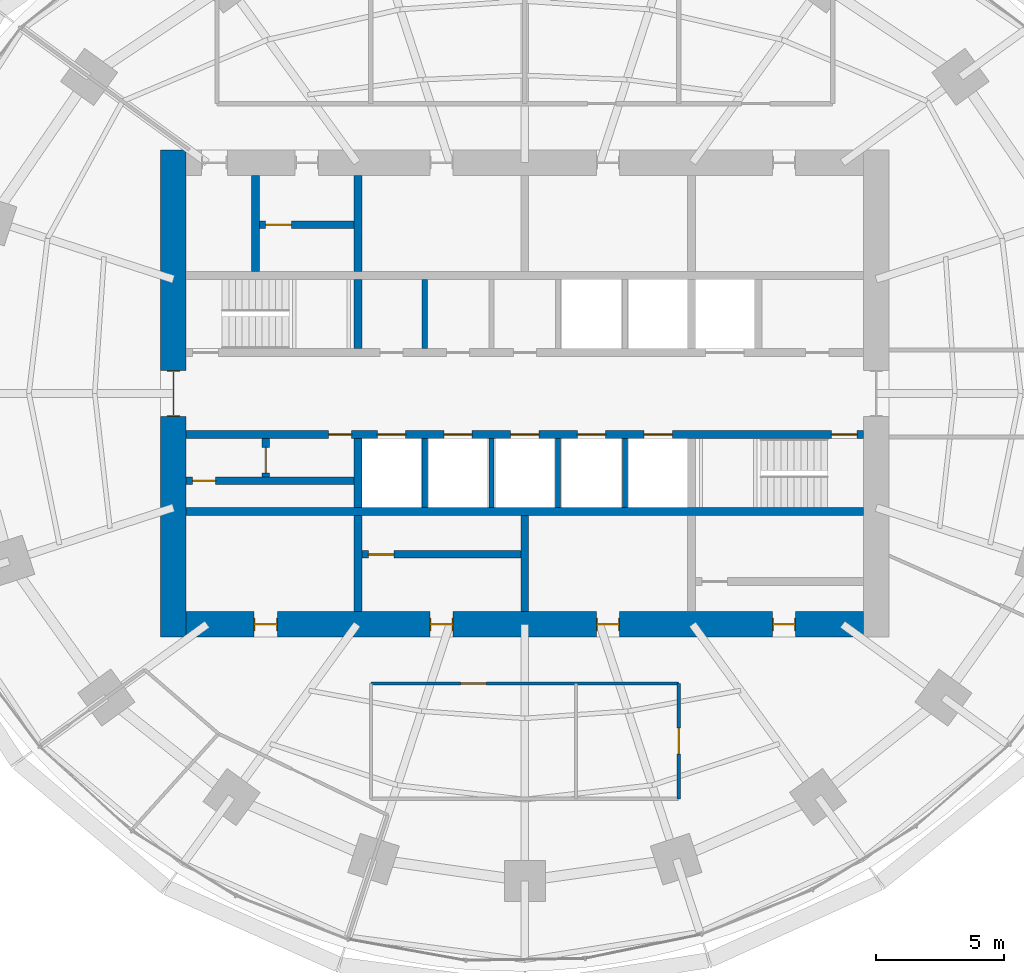
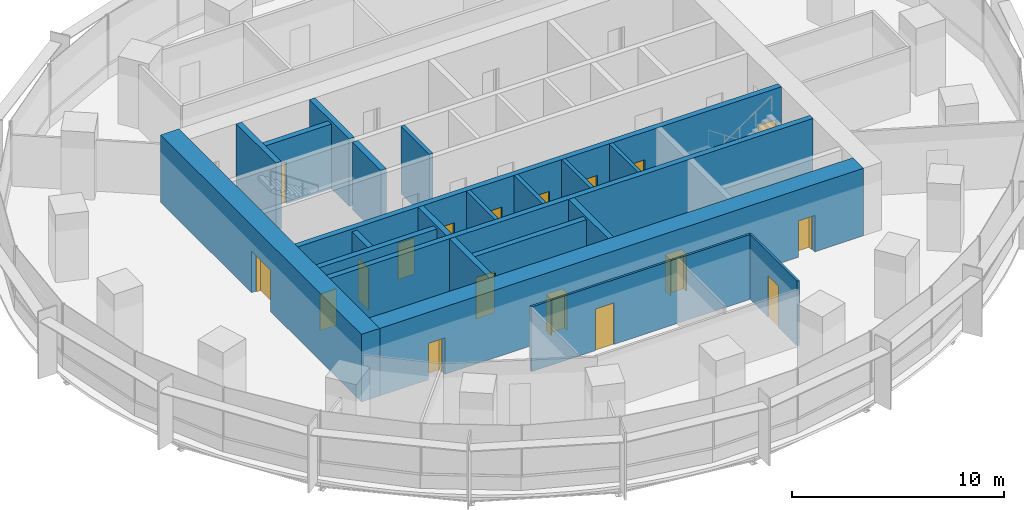
# One storey, part 10 of 14: 21 walls, 18 doors, 18 openings.
"""IFC4 building model written with IfcOpenShell, lengths in metres."""

from ifc_helpers import new_model, si_unit, direction, frame, frame_2d, origin, place, context, subcontext, project, spatial, rectangle, extrude, material, layer, layer_set, type_object, element, fill, save


model = new_model("IFC4")

# Units and contexts
model_context = context("Model", 3, precision=1e-05, world=origin(), true_north=direction((0.0, 1.0)))
body_context = subcontext(model_context, "Body", "Model", "MODEL_VIEW")
ifc_project = project(units=[si_unit("LENGTHUNIT", "METRE"), si_unit("AREAUNIT", "SQUARE_METRE"), si_unit("VOLUMEUNIT", "CUBIC_METRE"), si_unit("PLANEANGLEUNIT", "RADIAN"), si_unit("MASSUNIT", "GRAM", prefix="KILO")], contexts=[model_context])

# Site, building, storey
site_placement = place(None, origin())
site = spatial("IfcSite", under=ifc_project, at=site_placement, CompositionType="ELEMENT")
building_placement = place(site_placement, origin())
building = spatial("IfcBuilding", under=site, at=building_placement, Name="Marramba Exchange Tower", CompositionType="ELEMENT")
storey_placement = place(building_placement, frame((0.0, 0.0, 154.800048828125)))
storey = spatial("IfcBuildingStorey", under=building, at=storey_placement, Name="L37", CompositionType="ELEMENT", Elevation=154.800048828125)

# Walls
ifc_material_1 = material(Name="Concrete N50", Category="concrete")
ifc_layer_1 = layer(ifc_material_1, 0.199951171875)
ifc_layer_set_1 = layer_set([ifc_layer_1], Name="Core shaft wall 200")
wall_type_1 = type_object("IfcWallType", Name="Core shaft wall 200", PredefinedType="SHEAR", material=ifc_layer_set_1)
for number, where, z_axis, x_axis, name in (
    (1, (-3.89990234375, 1.75, 0.0), (0.0, 0.0, 1.0), (0.0, 1.0, 0.0), "Core wall SHN1 L37"),
    (2, (-3.89990234375, -1.75, 0.0), (0.0, 0.0, 1.0), (0.0, -1.0, 0.0), "Core wall SHS1 L37"),
    (3, (-1.300048828125, -1.75, 0.0), (0.0, 0.0, 1.0), (0.0, -1.0, 0.0), "Core wall SHS2 L37"),
    (4, (1.300048828125, -1.75, 0.0), (0.0, 0.0, 1.0), (0.0, -1.0, 0.0), "Core wall SHS3 L37"),
    (5, (3.89990234375, -1.75, 0.0), (0.0, 0.0, 1.0), (0.0, -1.0, 0.0), "Core wall SHS4 L37"),
):
    element("IfcWall", number, at=place(storey_placement, frame(where, z_axis=z_axis, x_axis=x_axis)), inside=storey, type_object=wall_type_1, Name=name, PredefinedType="SHEAR", context=body_context, shape_type="SweptSolid", body=[
        extrude(rectangle(XDim=2.699951171875, YDim=0.199951171875, at=frame_2d((1.35009765625, 0.0))), origin(), (0.0, 0.0, 1.0), 3.89990234375),
    ])

# Wall, openings, doors
ifc_layer_2 = layer(ifc_material_1, 1.0)
ifc_layer_set_2 = layer_set([ifc_layer_2], Name="Core wall 1000")
wall_type_2 = type_object("IfcWallType", Name="Core wall 1000", PredefinedType="SHEAR", material=ifc_layer_set_2)
wall_1_placement = place(storey_placement, frame((-13.199951171875, -9.0, 0.0), z_axis=(0.0, 0.0, 1.0), x_axis=(1.0, 0.0, 0.0)))
wall_1 = element("IfcWall", 6, at=wall_1_placement, inside=storey, type_object=wall_type_2, Name="Core wall S L37", PredefinedType="SHEAR", context=body_context, shape_type="SweptSolid", body=[
    extrude(rectangle(XDim=26.39990234375, YDim=1.0, at=frame_2d((13.199951171875, 0.0))), origin(), (0.0, 0.0, 1.0), 3.89990234375),
])
opening_1_placement = place(wall_1_placement, frame((2.64990234375, 0.0, 0.0)))
opening_1 = element("IfcOpeningElement", 7, at=opening_1_placement, cuts=wall_1, Name="Opening D5", PredefinedType="OPENING", context=body_context, shape_type="SweptSolid", body=[
    extrude(rectangle(XDim=0.89990234375, YDim=2.10009765625, at=frame_2d((0.449951171875, 1.050048828125))), frame((0.0, 0.510009765625, 0.0), z_axis=(0.0, -1.0, 0.0), x_axis=(1.0, 0.0, 0.0)), (0.0, 0.0, 1.0), 1.02001953125),
])
opening_2_placement = place(wall_1_placement, frame((9.5, 0.0, 0.0)))
opening_2 = element("IfcOpeningElement", 8, at=opening_2_placement, cuts=wall_1, Name="Opening D5", PredefinedType="OPENING", context=body_context, shape_type="SweptSolid", body=[
    extrude(rectangle(XDim=0.89990234375, YDim=2.10009765625, at=frame_2d((0.449951171875, 1.050048828125))), frame((0.0, 0.510009765625, 0.0), z_axis=(0.0, -1.0, 0.0), x_axis=(1.0, 0.0, 0.0)), (0.0, 0.0, 1.0), 1.02001953125),
])
opening_3_placement = place(wall_1_placement, frame((16.0, 0.0, 0.0)))
opening_3 = element("IfcOpeningElement", 9, at=opening_3_placement, cuts=wall_1, Name="Opening D5", PredefinedType="OPENING", context=body_context, shape_type="SweptSolid", body=[
    extrude(rectangle(XDim=0.89990234375, YDim=2.10009765625, at=frame_2d((0.449951171875, 1.050048828125))), frame((0.0, 0.510009765625, 0.0), z_axis=(0.0, -1.0, 0.0), x_axis=(1.0, 0.0, 0.0)), (0.0, 0.0, 1.0), 1.02001953125),
])
opening_4_placement = place(wall_1_placement, frame((22.85009765625, 0.0, 0.0)))
opening_4 = element("IfcOpeningElement", 10, at=opening_4_placement, cuts=wall_1, Name="Opening D5", PredefinedType="OPENING", context=body_context, shape_type="SweptSolid", body=[
    extrude(rectangle(XDim=0.89990234375, YDim=2.10009765625, at=frame_2d((0.449951171875, 1.050048828125))), frame((0.0, 0.510009765625, 0.0), z_axis=(0.0, -1.0, 0.0), x_axis=(1.0, 0.0, 0.0)), (0.0, 0.0, 1.0), 1.02001953125),
])
ifc_material_2 = material(Name="Steel-framed door", Category="steel")
door_type_1 = type_object("IfcDoorType", Name="Service door 900x2100", OperationType="SINGLE_SWING_LEFT", PredefinedType="DOOR", material=ifc_material_2)
door_1_placement = place(opening_1_placement, origin())
door_1 = element("IfcDoor", 11, at=door_1_placement, inside=storey, type_object=door_type_1, Name="D5 ahu L37", OperationType="SINGLE_SWING_LEFT", OverallHeight=2.10009765625, OverallWidth=0.89990234375, PredefinedType="DOOR", context=body_context, shape_type="SweptSolid", body=[
    extrude(rectangle(XDim=0.81982421875, YDim=2.06005859375, at=frame_2d((0.449951171875, 1.030029296875))), frame((0.0, 0.02490234375, 0.0), z_axis=(0.0, -1.0, 0.0), x_axis=(1.0, 0.0, 0.0)), (0.0, 0.0, 1.0), 0.050048828125),
    extrude(rectangle(XDim=0.04, YDim=2.10009765625, at=frame_2d((0.02001953125, 1.050048828125))), frame((0.0, 0.25, 0.0), z_axis=(0.0, -1.0, 0.0), x_axis=(1.0, 0.0, 0.0)), (0.0, 0.0, 1.0), 0.5),
    extrude(rectangle(XDim=0.04, YDim=2.10009765625, at=frame_2d((0.8798828125, 1.050048828125))), frame((0.0, 0.25, 0.0), z_axis=(0.0, -1.0, 0.0), x_axis=(1.0, 0.0, 0.0)), (0.0, 0.0, 1.0), 0.5),
    extrude(rectangle(XDim=0.81982421875, YDim=0.04, at=frame_2d((0.449951171875, 2.080078125))), frame((0.0, 0.25, 0.0), z_axis=(0.0, -1.0, 0.0), x_axis=(1.0, 0.0, 0.0)), (0.0, 0.0, 1.0), 0.5),
])
fill(opening_1, door_1)
door_2_placement = place(opening_2_placement, origin())
door_2 = element("IfcDoor", 12, at=door_2_placement, inside=storey, type_object=door_type_1, Name="D5 store L37", OperationType="SINGLE_SWING_RIGHT", OverallHeight=2.10009765625, OverallWidth=0.89990234375, PredefinedType="DOOR", context=body_context, shape_type="SweptSolid", body=[
    extrude(rectangle(XDim=0.81982421875, YDim=2.06005859375, at=frame_2d((0.449951171875, 1.030029296875))), frame((0.0, 0.02490234375, 0.0), z_axis=(0.0, -1.0, 0.0), x_axis=(1.0, 0.0, 0.0)), (0.0, 0.0, 1.0), 0.050048828125),
    extrude(rectangle(XDim=0.04, YDim=2.10009765625, at=frame_2d((0.02001953125, 1.050048828125))), frame((0.0, 0.25, 0.0), z_axis=(0.0, -1.0, 0.0), x_axis=(1.0, 0.0, 0.0)), (0.0, 0.0, 1.0), 0.5),
    extrude(rectangle(XDim=0.04, YDim=2.10009765625, at=frame_2d((0.8798828125, 1.050048828125))), frame((0.0, 0.25, 0.0), z_axis=(0.0, -1.0, 0.0), x_axis=(1.0, 0.0, 0.0)), (0.0, 0.0, 1.0), 0.5),
    extrude(rectangle(XDim=0.81982421875, YDim=0.04, at=frame_2d((0.449951171875, 2.080078125))), frame((0.0, 0.25, 0.0), z_axis=(0.0, -1.0, 0.0), x_axis=(1.0, 0.0, 0.0)), (0.0, 0.0, 1.0), 0.5),
])
fill(opening_2, door_2)
door_3_placement = place(opening_3_placement, origin())
door_3 = element("IfcDoor", 13, at=door_3_placement, inside=storey, type_object=door_type_1, Name="D5 switch L37", OperationType="SINGLE_SWING_RIGHT", OverallHeight=2.10009765625, OverallWidth=0.89990234375, PredefinedType="DOOR", context=body_context, shape_type="SweptSolid", body=[
    extrude(rectangle(XDim=0.81982421875, YDim=2.06005859375, at=frame_2d((0.449951171875, 1.030029296875))), frame((0.0, 0.02490234375, 0.0), z_axis=(0.0, -1.0, 0.0), x_axis=(1.0, 0.0, 0.0)), (0.0, 0.0, 1.0), 0.050048828125),
    extrude(rectangle(XDim=0.04, YDim=2.10009765625, at=frame_2d((0.02001953125, 1.050048828125))), frame((0.0, 0.25, 0.0), z_axis=(0.0, -1.0, 0.0), x_axis=(1.0, 0.0, 0.0)), (0.0, 0.0, 1.0), 0.5),
    extrude(rectangle(XDim=0.04, YDim=2.10009765625, at=frame_2d((0.8798828125, 1.050048828125))), frame((0.0, 0.25, 0.0), z_axis=(0.0, -1.0, 0.0), x_axis=(1.0, 0.0, 0.0)), (0.0, 0.0, 1.0), 0.5),
    extrude(rectangle(XDim=0.81982421875, YDim=0.04, at=frame_2d((0.449951171875, 2.080078125))), frame((0.0, 0.25, 0.0), z_axis=(0.0, -1.0, 0.0), x_axis=(1.0, 0.0, 0.0)), (0.0, 0.0, 1.0), 0.5),
])
fill(opening_3, door_3)
door_4_placement = place(opening_4_placement, origin())
door_4 = element("IfcDoor", 14, at=door_4_placement, inside=storey, type_object=door_type_1, Name="D5 cstore L37", OperationType="SINGLE_SWING_RIGHT", OverallHeight=2.10009765625, OverallWidth=0.89990234375, PredefinedType="DOOR", context=body_context, shape_type="SweptSolid", body=[
    extrude(rectangle(XDim=0.81982421875, YDim=2.06005859375, at=frame_2d((0.449951171875, 1.030029296875))), frame((0.0, 0.02490234375, 0.0), z_axis=(0.0, -1.0, 0.0), x_axis=(1.0, 0.0, 0.0)), (0.0, 0.0, 1.0), 0.050048828125),
    extrude(rectangle(XDim=0.04, YDim=2.10009765625, at=frame_2d((0.02001953125, 1.050048828125))), frame((0.0, 0.25, 0.0), z_axis=(0.0, -1.0, 0.0), x_axis=(1.0, 0.0, 0.0)), (0.0, 0.0, 1.0), 0.5),
    extrude(rectangle(XDim=0.04, YDim=2.10009765625, at=frame_2d((0.8798828125, 1.050048828125))), frame((0.0, 0.25, 0.0), z_axis=(0.0, -1.0, 0.0), x_axis=(1.0, 0.0, 0.0)), (0.0, 0.0, 1.0), 0.5),
    extrude(rectangle(XDim=0.81982421875, YDim=0.04, at=frame_2d((0.449951171875, 2.080078125))), frame((0.0, 0.25, 0.0), z_axis=(0.0, -1.0, 0.0), x_axis=(1.0, 0.0, 0.0)), (0.0, 0.0, 1.0), 0.5),
])
fill(opening_4, door_4)

# Wall, opening, door
wall_2_placement = place(storey_placement, frame((-13.699951171875, 9.5, 0.0), z_axis=(0.0, 0.0, 1.0), x_axis=(0.0, -1.0, 0.0)))
wall_2 = element("IfcWall", 15, at=wall_2_placement, inside=storey, type_object=wall_type_2, Name="Core wall W L37", PredefinedType="SHEAR", context=body_context, shape_type="SweptSolid", body=[
    extrude(rectangle(XDim=19.0, YDim=1.0, at=frame_2d((9.5, 0.0))), origin(), (0.0, 0.0, 1.0), 3.89990234375),
])
opening_5_placement = place(wall_2_placement, frame((8.60009765625, 0.0, 0.0)))
opening_5 = element("IfcOpeningElement", 16, at=opening_5_placement, cuts=wall_2, Name="Opening D1", PredefinedType="OPENING", context=body_context, shape_type="SweptSolid", body=[
    extrude(rectangle(XDim=1.800048828125, YDim=2.39990234375, at=frame_2d((0.89990234375, 1.199951171875))), frame((0.0, 0.510009765625, 0.0), z_axis=(0.0, -1.0, 0.0), x_axis=(1.0, 0.0, 0.0)), (0.0, 0.0, 1.0), 1.02001953125),
])
door_type_2 = type_object("IfcDoorType", Name="Lobby exit door 1800x2400", OperationType="DOUBLE_DOOR_SINGLE_SWING", PredefinedType="DOOR", material=ifc_material_2)
door_5_placement = place(opening_5_placement, origin())
door_5 = element("IfcDoor", 17, at=door_5_placement, inside=storey, type_object=door_type_2, Name="D1 lobby exit west L37", OperationType="DOUBLE_DOOR_SINGLE_SWING", OverallHeight=2.39990234375, OverallWidth=1.800048828125, PredefinedType="DOOR", context=body_context, shape_type="SweptSolid", body=[
    extrude(rectangle(XDim=1.719970703125, YDim=2.35986328125, at=frame_2d((0.89990234375, 1.179931640625))), frame((0.0, 0.02490234375, 0.0), z_axis=(0.0, -1.0, 0.0), x_axis=(1.0, 0.0, 0.0)), (0.0, 0.0, 1.0), 0.050048828125),
    extrude(rectangle(XDim=0.04, YDim=2.39990234375, at=frame_2d((0.02001953125, 1.199951171875))), frame((0.0, 0.25, 0.0), z_axis=(0.0, -1.0, 0.0), x_axis=(1.0, 0.0, 0.0)), (0.0, 0.0, 1.0), 0.5),
    extrude(rectangle(XDim=0.04, YDim=2.39990234375, at=frame_2d((1.780029296875, 1.199951171875))), frame((0.0, 0.25, 0.0), z_axis=(0.0, -1.0, 0.0), x_axis=(1.0, 0.0, 0.0)), (0.0, 0.0, 1.0), 0.5),
    extrude(rectangle(XDim=1.719970703125, YDim=0.04, at=frame_2d((0.89990234375, 2.3798828125))), frame((0.0, 0.25, 0.0), z_axis=(0.0, -1.0, 0.0), x_axis=(1.0, 0.0, 0.0)), (0.0, 0.0, 1.0), 0.5),
])
fill(opening_5, door_5)

# Wall, openings, doors
ifc_layer_3 = layer(ifc_material_1, 0.300048828125)
ifc_layer_set_3 = layer_set([ifc_layer_3], Name="Core wall 300")
wall_type_3 = type_object("IfcWallType", Name="Core wall 300", PredefinedType="SHEAR", material=ifc_layer_set_3)
wall_3_placement = place(storey_placement, frame((-13.199951171875, -1.60009765625, 0.0), z_axis=(0.0, 0.0, 1.0), x_axis=(1.0, 0.0, 0.0)))
wall_3 = element("IfcWall", 18, at=wall_3_placement, inside=storey, type_object=wall_type_3, Name="Core wall LS L37", PredefinedType="SHEAR", context=body_context, shape_type="SweptSolid", body=[
    extrude(rectangle(XDim=26.39990234375, YDim=0.300048828125, at=frame_2d((13.199951171875, 0.0))), origin(), (0.0, 0.0, 1.0), 3.89990234375),
])
opening_6_placement = place(wall_3_placement, frame((25.14990234375, 0.0, 0.0)))
opening_6 = element("IfcOpeningElement", 19, at=opening_6_placement, cuts=wall_3, Name="Opening D2", PredefinedType="OPENING", context=body_context, shape_type="SweptSolid", body=[
    extrude(rectangle(XDim=1.0, YDim=2.10009765625, at=frame_2d((0.5, 1.050048828125))), frame((0.0, 0.159912109375, 0.0), z_axis=(0.0, -1.0, 0.0), x_axis=(1.0, 0.0, 0.0)), (0.0, 0.0, 1.0), 0.320068359375),
])
opening_7_placement = place(wall_3_placement, frame((7.449951171875, 0.0, 0.0)))
opening_7 = element("IfcOpeningElement", 20, at=opening_7_placement, cuts=wall_3, Name="Opening LD1", PredefinedType="OPENING", context=body_context, shape_type="SweptSolid", body=[
    extrude(rectangle(XDim=1.10009765625, YDim=2.300048828125, at=frame_2d((0.550048828125, 1.14990234375))), frame((0.0, 0.159912109375, 0.0), z_axis=(0.0, -1.0, 0.0), x_axis=(1.0, 0.0, 0.0)), (0.0, 0.0, 1.0), 0.320068359375),
])
opening_8_placement = place(wall_3_placement, frame((10.050048828125, 0.0, 0.0)))
opening_8 = element("IfcOpeningElement", 21, at=opening_8_placement, cuts=wall_3, Name="Opening LD1", PredefinedType="OPENING", context=body_context, shape_type="SweptSolid", body=[
    extrude(rectangle(XDim=1.10009765625, YDim=2.300048828125, at=frame_2d((0.550048828125, 1.14990234375))), frame((0.0, 0.159912109375, 0.0), z_axis=(0.0, -1.0, 0.0), x_axis=(1.0, 0.0, 0.0)), (0.0, 0.0, 1.0), 0.320068359375),
])
opening_9_placement = place(wall_3_placement, frame((12.64990234375, 0.0, 0.0)))
opening_9 = element("IfcOpeningElement", 22, at=opening_9_placement, cuts=wall_3, Name="Opening LD1", PredefinedType="OPENING", context=body_context, shape_type="SweptSolid", body=[
    extrude(rectangle(XDim=1.10009765625, YDim=2.300048828125, at=frame_2d((0.550048828125, 1.14990234375))), frame((0.0, 0.159912109375, 0.0), z_axis=(0.0, -1.0, 0.0), x_axis=(1.0, 0.0, 0.0)), (0.0, 0.0, 1.0), 0.320068359375),
])
opening_10_placement = place(wall_3_placement, frame((15.25, 0.0, 0.0)))
opening_10 = element("IfcOpeningElement", 23, at=opening_10_placement, cuts=wall_3, Name="Opening LD2", PredefinedType="OPENING", context=body_context, shape_type="SweptSolid", body=[
    extrude(rectangle(XDim=1.10009765625, YDim=2.300048828125, at=frame_2d((0.550048828125, 1.14990234375))), frame((0.0, 0.159912109375, 0.0), z_axis=(0.0, -1.0, 0.0), x_axis=(1.0, 0.0, 0.0)), (0.0, 0.0, 1.0), 0.320068359375),
])
opening_11_placement = place(wall_3_placement, frame((17.85009765625, 0.0, 0.0)))
opening_11 = element("IfcOpeningElement", 24, at=opening_11_placement, cuts=wall_3, Name="Opening LD2", PredefinedType="OPENING", context=body_context, shape_type="SweptSolid", body=[
    extrude(rectangle(XDim=1.10009765625, YDim=2.300048828125, at=frame_2d((0.550048828125, 1.14990234375))), frame((0.0, 0.159912109375, 0.0), z_axis=(0.0, -1.0, 0.0), x_axis=(1.0, 0.0, 0.0)), (0.0, 0.0, 1.0), 0.320068359375),
])
opening_12_placement = place(wall_3_placement, frame((5.550048828125, 0.0, 0.0)))
opening_12 = element("IfcOpeningElement", 25, at=opening_12_placement, cuts=wall_3, Name="Opening D5", PredefinedType="OPENING", context=body_context, shape_type="SweptSolid", body=[
    extrude(rectangle(XDim=0.89990234375, YDim=2.10009765625, at=frame_2d((0.449951171875, 1.050048828125))), frame((0.0, 0.159912109375, 0.0), z_axis=(0.0, -1.0, 0.0), x_axis=(1.0, 0.0, 0.0)), (0.0, 0.0, 1.0), 0.320068359375),
])
door_type_3 = type_object("IfcDoorType", Name="Emergency lift landing door 1100x2300", OperationType="SLIDING_TO_LEFT", PredefinedType="DOOR", material=ifc_material_2)
door_6_placement = place(opening_10_placement, frame((1.10009765625, 0.0, 0.0), z_axis=(0.0, 0.0, 1.0), x_axis=(-1.0, 0.0, 0.0)))
door_6 = element("IfcDoor", 26, at=door_6_placement, inside=storey, type_object=door_type_3, Name="FL1 landing door L37", OperationType="SLIDING_TO_RIGHT", OverallHeight=2.300048828125, OverallWidth=1.10009765625, PredefinedType="DOOR", context=body_context, shape_type="SweptSolid", body=[
    extrude(rectangle(XDim=1.10009765625, YDim=2.300048828125, at=frame_2d((0.550048828125, 1.14990234375))), frame((0.0, 0.025146484375, 0.0), z_axis=(0.0, -1.0, 0.0), x_axis=(1.0, 0.0, 0.0)), (0.0, 0.0, 1.0), 0.050048828125),
])
fill(opening_10, door_6)
door_7_placement = place(opening_11_placement, frame((1.10009765625, 0.0, 0.0), z_axis=(0.0, 0.0, 1.0), x_axis=(-1.0, 0.0, 0.0)))
door_7 = element("IfcDoor", 27, at=door_7_placement, inside=storey, type_object=door_type_3, Name="FL2 landing door L37", OperationType="SLIDING_TO_LEFT", OverallHeight=2.300048828125, OverallWidth=1.10009765625, PredefinedType="DOOR", context=body_context, shape_type="SweptSolid", body=[
    extrude(rectangle(XDim=1.10009765625, YDim=2.300048828125, at=frame_2d((0.550048828125, 1.14990234375))), frame((0.0, 0.025146484375, 0.0), z_axis=(0.0, -1.0, 0.0), x_axis=(1.0, 0.0, 0.0)), (0.0, 0.0, 1.0), 0.050048828125),
])
fill(opening_11, door_7)
door_type_4 = type_object("IfcDoorType", Name="Lift landing door 1100x2300", OperationType="SLIDING_TO_LEFT", PredefinedType="DOOR", material=ifc_material_2)
door_8_placement = place(opening_7_placement, frame((1.10009765625, 0.0, 0.0), z_axis=(0.0, 0.0, 1.0), x_axis=(-1.0, 0.0, 0.0)))
door_8 = element("IfcDoor", 28, at=door_8_placement, inside=storey, type_object=door_type_4, Name="LB1 landing door L37", OperationType="SLIDING_TO_LEFT", OverallHeight=2.300048828125, OverallWidth=1.10009765625, PredefinedType="DOOR", context=body_context, shape_type="SweptSolid", body=[
    extrude(rectangle(XDim=1.10009765625, YDim=2.300048828125, at=frame_2d((0.550048828125, 1.14990234375))), frame((0.0, 0.025146484375, 0.0), z_axis=(0.0, -1.0, 0.0), x_axis=(1.0, 0.0, 0.0)), (0.0, 0.0, 1.0), 0.050048828125),
])
fill(opening_7, door_8)
door_9_placement = place(opening_8_placement, frame((1.10009765625, 0.0, 0.0), z_axis=(0.0, 0.0, 1.0), x_axis=(-1.0, 0.0, 0.0)))
door_9 = element("IfcDoor", 29, at=door_9_placement, inside=storey, type_object=door_type_4, Name="LB2 landing door L37", OperationType="SLIDING_TO_RIGHT", OverallHeight=2.300048828125, OverallWidth=1.10009765625, PredefinedType="DOOR", context=body_context, shape_type="SweptSolid", body=[
    extrude(rectangle(XDim=1.10009765625, YDim=2.300048828125, at=frame_2d((0.550048828125, 1.14990234375))), frame((0.0, 0.025146484375, 0.0), z_axis=(0.0, -1.0, 0.0), x_axis=(1.0, 0.0, 0.0)), (0.0, 0.0, 1.0), 0.050048828125),
])
fill(opening_8, door_9)
door_10_placement = place(opening_9_placement, frame((1.10009765625, 0.0, 0.0), z_axis=(0.0, 0.0, 1.0), x_axis=(-1.0, 0.0, 0.0)))
door_10 = element("IfcDoor", 30, at=door_10_placement, inside=storey, type_object=door_type_4, Name="LB3 landing door L37", OperationType="SLIDING_TO_RIGHT", OverallHeight=2.300048828125, OverallWidth=1.10009765625, PredefinedType="DOOR", context=body_context, shape_type="SweptSolid", body=[
    extrude(rectangle(XDim=1.10009765625, YDim=2.300048828125, at=frame_2d((0.550048828125, 1.14990234375))), frame((0.0, 0.025146484375, 0.0), z_axis=(0.0, -1.0, 0.0), x_axis=(1.0, 0.0, 0.0)), (0.0, 0.0, 1.0), 0.050048828125),
])
fill(opening_9, door_10)
door_11_placement = place(opening_12_placement, frame((0.89990234375, 0.0, 0.0), z_axis=(0.0, 0.0, 1.0), x_axis=(-1.0, 0.0, 0.0)))
door_11 = element("IfcDoor", 31, at=door_11_placement, inside=storey, type_object=door_type_1, Name="D5 electrical riser L37", OperationType="SINGLE_SWING_LEFT", OverallHeight=2.10009765625, OverallWidth=0.89990234375, PredefinedType="DOOR", context=body_context, shape_type="SweptSolid", body=[
    extrude(rectangle(XDim=0.89990234375, YDim=2.10009765625, at=frame_2d((0.449951171875, 1.050048828125))), frame((0.0, 0.025146484375, 0.0), z_axis=(0.0, -1.0, 0.0), x_axis=(1.0, 0.0, 0.0)), (0.0, 0.0, 1.0), 0.050048828125),
])
fill(opening_12, door_11)
door_type_5 = type_object("IfcDoorType", Name="Stair door 1000x2100", OperationType="SINGLE_SWING_LEFT", PredefinedType="DOOR", material=ifc_material_2)
door_12_placement = place(opening_6_placement, frame((1.0, 0.0, 0.0), z_axis=(0.0, 0.0, 1.0), x_axis=(-1.0, 0.0, 0.0)))
door_12 = element("IfcDoor", 32, at=door_12_placement, inside=storey, type_object=door_type_5, Name="D2 stair ST2 L37", OperationType="SINGLE_SWING_LEFT", OverallHeight=2.10009765625, OverallWidth=1.0, PredefinedType="DOOR", context=body_context, shape_type="SweptSolid", body=[
    extrude(rectangle(XDim=1.0, YDim=2.10009765625, at=frame_2d((0.5, 1.050048828125))), frame((0.0, 0.025146484375, 0.0), z_axis=(0.0, -1.0, 0.0), x_axis=(1.0, 0.0, 0.0)), (0.0, 0.0, 1.0), 0.050048828125),
])
fill(opening_6, door_12)

# Walls
wall_4_placement = place(storey_placement, frame((-13.199951171875, -4.60009765625, 0.0), z_axis=(0.0, 0.0, 1.0), x_axis=(1.0, 0.0, 0.0)))
element("IfcWall", 33, at=wall_4_placement, inside=storey, type_object=wall_type_3, Name="Core wall BS L37", PredefinedType="SHEAR", context=body_context, shape_type="SweptSolid", body=[
    extrude(rectangle(XDim=26.39990234375, YDim=0.300048828125, at=frame_2d((13.199951171875, 0.0))), origin(), (0.0, 0.0, 1.0), 3.89990234375),
])
wall_5_placement = place(storey_placement, frame((-6.5, 1.75, 0.0), z_axis=(0.0, 0.0, 1.0), x_axis=(0.0, 1.0, 0.0)))
element("IfcWall", 34, at=wall_5_placement, inside=storey, type_object=wall_type_3, Name="Core wall X0Na L37", PredefinedType="SHEAR", context=body_context, shape_type="SweptSolid", body=[
    extrude(rectangle(XDim=2.699951171875, YDim=0.300048828125, at=frame_2d((1.35009765625, 0.0))), origin(), (0.0, 0.0, 1.0), 3.89990234375),
])
wall_6_placement = place(storey_placement, frame((-6.5, 4.75, 0.0), z_axis=(0.0, 0.0, 1.0), x_axis=(0.0, 1.0, 0.0)))
element("IfcWall", 35, at=wall_6_placement, inside=storey, type_object=wall_type_3, Name="Core wall X0Nb L37", PredefinedType="SHEAR", context=body_context, shape_type="SweptSolid", body=[
    extrude(rectangle(XDim=3.75, YDim=0.300048828125, at=frame_2d((1.875, 0.0))), origin(), (0.0, 0.0, 1.0), 3.89990234375),
])
wall_7_placement = place(storey_placement, frame((-6.5, -1.75, 0.0), z_axis=(0.0, 0.0, 1.0), x_axis=(0.0, -1.0, 0.0)))
element("IfcWall", 36, at=wall_7_placement, inside=storey, type_object=wall_type_3, Name="Core wall X0Sa L37", PredefinedType="SHEAR", context=body_context, shape_type="SweptSolid", body=[
    extrude(rectangle(XDim=2.699951171875, YDim=0.300048828125, at=frame_2d((1.35009765625, 0.0))), origin(), (0.0, 0.0, 1.0), 3.89990234375),
])
for number, where, z_axis, x_axis, name in (
    (37, (-6.5, -4.75, 0.0), (0.0, 0.0, 1.0), (0.0, -1.0, 0.0), "Core wall X0Sb L37"),
    (38, (0.0, -4.75, 0.0), (0.0, 0.0, 1.0), (0.0, -1.0, 0.0), "Core wall MS L37"),
    (39, (-10.5, 4.75, 0.0), (0.0, 0.0, 1.0), (0.0, 1.0, 0.0), "Core wall WD L37"),
):
    element("IfcWall", number, at=place(storey_placement, frame(where, z_axis=z_axis, x_axis=x_axis)), inside=storey, type_object=wall_type_3, Name=name, PredefinedType="SHEAR", context=body_context, shape_type="SweptSolid", body=[
        extrude(rectangle(XDim=3.75, YDim=0.300048828125, at=frame_2d((1.875, 0.0))), origin(), (0.0, 0.0, 1.0), 3.89990234375),
    ])

# Wall, opening, door
ifc_material_3 = material(Name="Plasterboard on steel studs", Category="steel")
ifc_layer_4 = layer(ifc_material_3, 0.1201171875)
ifc_layer_set_4 = layer_set([ifc_layer_4], Name="Partition 120")
wall_type_4 = type_object("IfcWallType", Name="Partition 120", PredefinedType="PARTITIONING", material=ifc_layer_set_4)
wall_8_placement = place(storey_placement, frame((-6.0, -11.300048828125, 0.0), z_axis=(0.0, 0.0, 1.0), x_axis=(1.0, 0.0, 0.0)))
wall_8 = element("IfcWall", 40, at=wall_8_placement, inside=storey, type_object=wall_type_4, Name="Partition L37 07", PredefinedType="PARTITIONING", context=body_context, shape_type="SweptSolid", body=[
    extrude(rectangle(XDim=12.0, YDim=0.1201171875, at=frame_2d((6.0, 0.0))), origin(), (0.0, 0.0, 1.0), 3.739990234375),
])
opening_13_placement = place(wall_8_placement, frame((3.5, 0.0, 0.0)))
opening_13 = element("IfcOpeningElement", 41, at=opening_13_placement, cuts=wall_8, Name="Opening D9", PredefinedType="OPENING", context=body_context, shape_type="SweptSolid", body=[
    extrude(rectangle(XDim=1.0, YDim=2.39990234375, at=frame_2d((0.5, 1.199951171875))), frame((0.0, 0.070068359375, 0.0), z_axis=(0.0, -1.0, 0.0), x_axis=(1.0, 0.0, 0.0)), (0.0, 0.0, 1.0), 0.14013671875),
])
ifc_material_4 = material(Name="Timber door", Category="wood")
door_type_6 = type_object("IfcDoorType", Name="Room door 1000x2400", OperationType="SINGLE_SWING_LEFT", PredefinedType="DOOR", material=ifc_material_4)
door_13_placement = place(opening_13_placement, frame((1.0, 0.0, 0.0), z_axis=(0.0, 0.0, 1.0), x_axis=(-1.0, 0.0, 0.0)))
door_13 = element("IfcDoor", 42, at=door_13_placement, inside=storey, type_object=door_type_6, Name="D9 Pantry L37", OperationType="SINGLE_SWING_RIGHT", OverallHeight=2.39990234375, OverallWidth=1.0, PredefinedType="DOOR", context=body_context, shape_type="SweptSolid", body=[
    extrude(rectangle(XDim=1.0, YDim=2.39990234375, at=frame_2d((0.5, 1.199951171875))), frame((0.0, 0.025146484375, 0.0), z_axis=(0.0, -1.0, 0.0), x_axis=(1.0, 0.0, 0.0)), (0.0, 0.0, 1.0), 0.050048828125),
])
fill(opening_13, door_13)

wall_9_placement = place(storey_placement, frame((6.0, -11.300048828125, 0.0), z_axis=(0.0, 0.0, 1.0), x_axis=(0.0, -1.0, 0.0)))
wall_9 = element("IfcWall", 43, at=wall_9_placement, inside=storey, type_object=wall_type_4, Name="Partition L37 10", PredefinedType="PARTITIONING", context=body_context, shape_type="SweptSolid", body=[
    extrude(rectangle(XDim=4.5, YDim=0.1201171875, at=frame_2d((2.25, 0.0))), origin(), (0.0, 0.0, 1.0), 3.739990234375),
])
opening_14_placement = place(wall_9_placement, frame((1.75, 0.0, 0.0)))
opening_14 = element("IfcOpeningElement", 44, at=opening_14_placement, cuts=wall_9, Name="Opening D9", PredefinedType="OPENING", context=body_context, shape_type="SweptSolid", body=[
    extrude(rectangle(XDim=1.0, YDim=2.39990234375, at=frame_2d((0.5, 1.199951171875))), frame((0.0, 0.070068359375, 0.0), z_axis=(0.0, -1.0, 0.0), x_axis=(1.0, 0.0, 0.0)), (0.0, 0.0, 1.0), 0.14013671875),
])
door_14_placement = place(opening_14_placement, frame((1.0, 0.0, 0.0), z_axis=(0.0, 0.0, 1.0), x_axis=(-1.0, 0.0, 0.0)))
door_14 = element("IfcDoor", 45, at=door_14_placement, inside=storey, type_object=door_type_6, Name="D9 Print Room L37", OperationType="SINGLE_SWING_RIGHT", OverallHeight=2.39990234375, OverallWidth=1.0, PredefinedType="DOOR", context=body_context, shape_type="SweptSolid", body=[
    extrude(rectangle(XDim=1.0, YDim=2.39990234375, at=frame_2d((0.5, 1.199951171875))), frame((0.0, 0.025146484375, 0.0), z_axis=(0.0, -1.0, 0.0), x_axis=(1.0, 0.0, 0.0)), (0.0, 0.0, 1.0), 0.050048828125),
])
fill(opening_14, door_14)

ifc_material_5 = material(Name="Core-filled concrete blockwork", Category="masonry")
ifc_layer_5 = layer(ifc_material_5, 0.300048828125)
ifc_layer_set_5 = layer_set([ifc_layer_5], Name="Riser enclosure wall 300")
wall_type_5 = type_object("IfcWallType", Name="Riser enclosure wall 300", PredefinedType="SOLIDWALL", material=ifc_layer_set_5)
wall_10_placement = place(storey_placement, frame((-13.199951171875, -3.39990234375, 0.0), z_axis=(0.0, 0.0, 1.0), x_axis=(1.0, 0.0, 0.0)))
wall_10 = element("IfcWall", 46, at=wall_10_placement, inside=storey, type_object=wall_type_5, Name="Riser enclosure wall L37", PredefinedType="SOLIDWALL", context=body_context, shape_type="SweptSolid", body=[
    extrude(rectangle(XDim=6.550048828125, YDim=0.300048828125, at=frame_2d((3.27490234375, 0.0))), origin(), (0.0, 0.0, 1.0), 3.739990234375),
])
opening_15_placement = place(wall_10_placement, frame((0.25, 0.0, 0.0)))
opening_15 = element("IfcOpeningElement", 47, at=opening_15_placement, cuts=wall_10, Name="Opening D5", PredefinedType="OPENING", context=body_context, shape_type="SweptSolid", body=[
    extrude(rectangle(XDim=0.89990234375, YDim=2.10009765625, at=frame_2d((0.449951171875, 1.050048828125))), frame((0.0, 0.159912109375, 0.0), z_axis=(0.0, -1.0, 0.0), x_axis=(1.0, 0.0, 0.0)), (0.0, 0.0, 1.0), 0.320068359375),
])
door_15_placement = place(opening_15_placement, origin())
door_15 = element("IfcDoor", 48, at=door_15_placement, inside=storey, type_object=door_type_1, Name="D5 electrical riser back L37", OperationType="SINGLE_SWING_LEFT", OverallHeight=2.10009765625, OverallWidth=0.89990234375, PredefinedType="DOOR", context=body_context, shape_type="SweptSolid", body=[
    extrude(rectangle(XDim=0.89990234375, YDim=2.10009765625, at=frame_2d((0.449951171875, 1.050048828125))), frame((0.0, 0.02490234375, 0.0), z_axis=(0.0, -1.0, 0.0), x_axis=(1.0, 0.0, 0.0)), (0.0, 0.0, 1.0), 0.050048828125),
])
fill(opening_15, door_15)

ifc_material_6 = material(Name="Plasterboard on steel studs, insulated, unrated", Category="steel")
ifc_layer_6 = layer(ifc_material_6, 0.300048828125)
ifc_layer_set_6 = layer_set([ifc_layer_6], Name="Store partition 300")
wall_type_6 = type_object("IfcWallType", Name="Store partition 300", PredefinedType="PARTITIONING", material=ifc_layer_set_6)
wall_11_placement = place(storey_placement, frame((-10.35009765625, 6.580078125, 0.0), z_axis=(0.0, 0.0, 1.0), x_axis=(1.0, 0.0, 0.0)))
wall_11 = element("IfcWall", 49, at=wall_11_placement, inside=storey, type_object=wall_type_6, Name="Store partition L37 cleaner", PredefinedType="PARTITIONING", context=body_context, shape_type="SweptSolid", body=[
    extrude(rectangle(XDim=3.7001953125, YDim=0.300048828125, at=frame_2d((1.85009765625, 0.0))), origin(), (0.0, 0.0, 1.0), 3.739990234375),
])
opening_16_placement = place(wall_11_placement, frame((0.25, 0.0, 0.0)))
opening_16 = element("IfcOpeningElement", 50, at=opening_16_placement, cuts=wall_11, Name="Opening D9", PredefinedType="OPENING", context=body_context, shape_type="SweptSolid", body=[
    extrude(rectangle(XDim=1.0, YDim=2.39990234375, at=frame_2d((0.5, 1.199951171875))), frame((0.0, 0.159912109375, 0.0), z_axis=(0.0, -1.0, 0.0), x_axis=(1.0, 0.0, 0.0)), (0.0, 0.0, 1.0), 0.320068359375),
])
door_16_placement = place(opening_16_placement, frame((1.0, 0.0, 0.0), z_axis=(0.0, 0.0, 1.0), x_axis=(-1.0, 0.0, 0.0)))
door_16 = element("IfcDoor", 51, at=door_16_placement, inside=storey, type_object=door_type_6, Name="D9 cleaning store L37", OperationType="SINGLE_SWING_RIGHT", OverallHeight=2.39990234375, OverallWidth=1.0, PredefinedType="DOOR", context=body_context, shape_type="SweptSolid", body=[
    extrude(rectangle(XDim=1.0, YDim=2.39990234375, at=frame_2d((0.5, 1.199951171875))), frame((0.0, 0.025146484375, 0.0), z_axis=(0.0, -1.0, 0.0), x_axis=(1.0, 0.0, 0.0)), (0.0, 0.0, 1.0), 0.050048828125),
])
fill(opening_16, door_16)

wall_12_placement = place(storey_placement, frame((-6.35009765625, -6.27197265625, 0.0), z_axis=(0.0, 0.0, 1.0), x_axis=(1.0, 0.0, 0.0)))
wall_12 = element("IfcWall", 52, at=wall_12_placement, inside=storey, type_object=wall_type_6, Name="Store partition L37 store", PredefinedType="PARTITIONING", context=body_context, shape_type="SweptSolid", body=[
    extrude(rectangle(XDim=6.2001953125, YDim=0.300048828125, at=frame_2d((3.10009765625, 0.0))), origin(), (0.0, 0.0, 1.0), 3.739990234375),
])
opening_17_placement = place(wall_12_placement, frame((0.25, 0.0, 0.0)))
opening_17 = element("IfcOpeningElement", 53, at=opening_17_placement, cuts=wall_12, Name="Opening D9", PredefinedType="OPENING", context=body_context, shape_type="SweptSolid", body=[
    extrude(rectangle(XDim=1.0, YDim=2.39990234375, at=frame_2d((0.5, 1.199951171875))), frame((0.0, 0.159912109375, 0.0), z_axis=(0.0, -1.0, 0.0), x_axis=(1.0, 0.0, 0.0)), (0.0, 0.0, 1.0), 0.320068359375),
])
door_17_placement = place(opening_17_placement, origin())
door_17 = element("IfcDoor", 54, at=door_17_placement, inside=storey, type_object=door_type_6, Name="D9 stationery store L37", OperationType="SINGLE_SWING_LEFT", OverallHeight=2.39990234375, OverallWidth=1.0, PredefinedType="DOOR", context=body_context, shape_type="SweptSolid", body=[
    extrude(rectangle(XDim=1.0, YDim=2.39990234375, at=frame_2d((0.5, 1.199951171875))), frame((0.0, 0.02490234375, 0.0), z_axis=(0.0, -1.0, 0.0), x_axis=(1.0, 0.0, 0.0)), (0.0, 0.0, 1.0), 0.050048828125),
])
fill(opening_17, door_17)

wall_13_placement = place(storey_placement, frame((-10.10009765625, -3.25, 0.0), z_axis=(0.0, 0.0, 1.0), x_axis=(0.0, 1.0, 0.0)))
wall_13 = element("IfcWall", 55, at=wall_13_placement, inside=storey, type_object=wall_type_6, Name="Store partition L37 tool store", PredefinedType="PARTITIONING", context=body_context, shape_type="SweptSolid", body=[
    extrude(rectangle(XDim=1.5, YDim=0.300048828125, at=frame_2d((0.75, 0.0))), origin(), (0.0, 0.0, 1.0), 3.739990234375),
])
opening_18_placement = place(wall_13_placement, frame((0.14990234375, 0.0, 0.0)))
opening_18 = element("IfcOpeningElement", 56, at=opening_18_placement, cuts=wall_13, Name="Opening D9", PredefinedType="OPENING", context=body_context, shape_type="SweptSolid", body=[
    extrude(rectangle(XDim=1.0, YDim=2.39990234375, at=frame_2d((0.5, 1.199951171875))), frame((0.0, 0.159912109375, 0.0), z_axis=(0.0, -1.0, 0.0), x_axis=(1.0, 0.0, 0.0)), (0.0, 0.0, 1.0), 0.320068359375),
])
door_18_placement = place(opening_18_placement, origin())
door_18 = element("IfcDoor", 57, at=door_18_placement, inside=storey, type_object=door_type_6, Name="D9 tool store L37", OperationType="SINGLE_SWING_LEFT", OverallHeight=2.39990234375, OverallWidth=1.0, PredefinedType="DOOR", context=body_context, shape_type="SweptSolid", body=[
    extrude(rectangle(XDim=1.0, YDim=2.39990234375, at=frame_2d((0.5, 1.199951171875))), frame((0.0, 0.02490234375, 0.0), z_axis=(0.0, -1.0, 0.0), x_axis=(1.0, 0.0, 0.0)), (0.0, 0.0, 1.0), 0.050048828125),
])
fill(opening_18, door_18)

save(model, "model.ifc")
